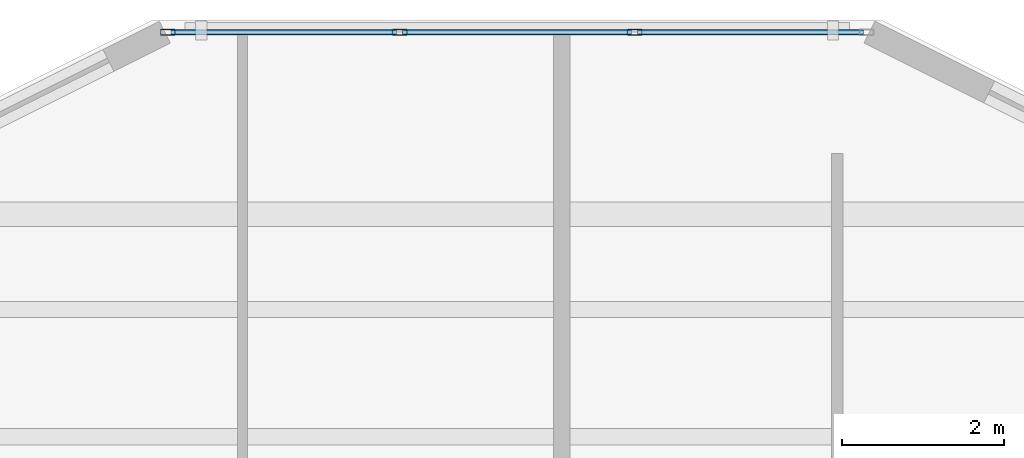
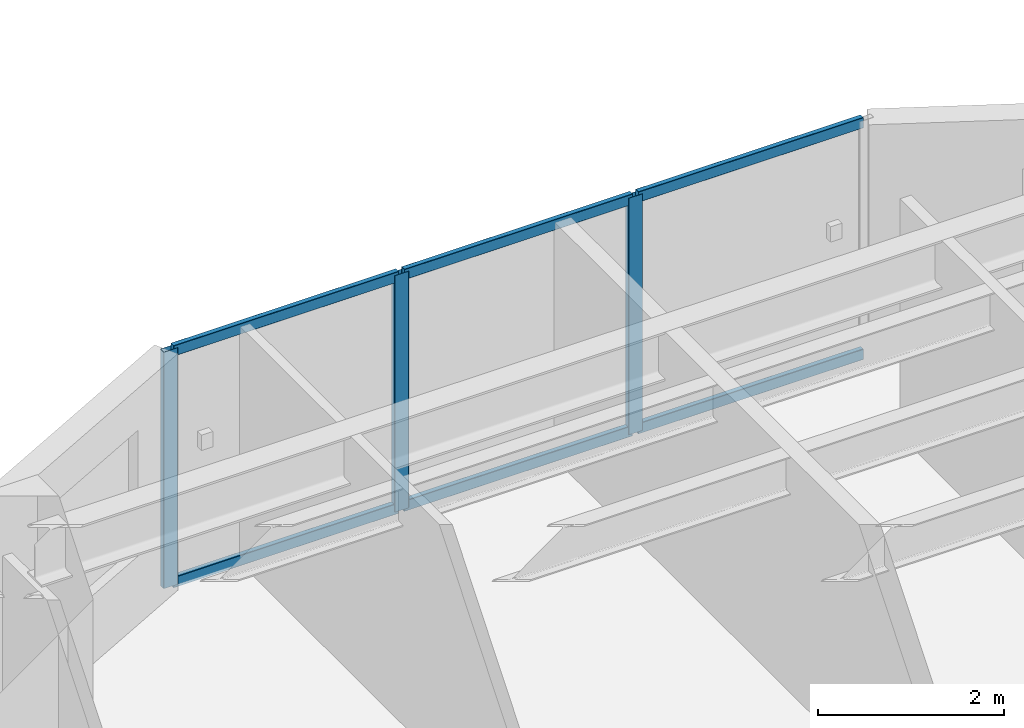
# One storey, part 6 of 19: 9 members, 1 element without a shape of its own.
"""IFC4 building model written with IfcOpenShell, lengths in metres."""

from ifc_helpers import new_model, si_unit, direction, frame, origin, origin_2d, place, context, subcontext, project, spatial, hollow_rectangle, extrude, material, layer, layer_set, material_profile, profile_set, type_object, element, aggregate, save


model = new_model("IFC4")

# Units and contexts
model_context = context("Model", 3, precision=1e-05, world=origin(), true_north=direction((0.0, 1.0)))
body_context = subcontext(model_context, "Body", "Model", "MODEL_VIEW")
ifc_project = project(units=[si_unit("LENGTHUNIT", "METRE"), si_unit("AREAUNIT", "SQUARE_METRE"), si_unit("VOLUMEUNIT", "CUBIC_METRE"), si_unit("PLANEANGLEUNIT", "RADIAN"), si_unit("MASSUNIT", "GRAM", prefix="KILO")], contexts=[model_context])

# Site, building, storey
site_placement = place(None, origin())
site = spatial("IfcSite", under=ifc_project, at=site_placement, CompositionType="ELEMENT")
building_placement = place(site_placement, origin())
building = spatial("IfcBuilding", under=site, at=building_placement, Name="Tarnavaz Court Tower", CompositionType="ELEMENT")
storey_placement = place(building_placement, frame((0.0, 0.0, 50.800048828125)))
storey = spatial("IfcBuildingStorey", under=building, at=storey_placement, Name="L13", CompositionType="ELEMENT", Elevation=50.800048828125)

# Curtain wall, members
ifc_material_1 = material(Name="Anodised Aluminium 6063-T6 and Solar Low-E Glazing", Category="aluminium")
ifc_layer = layer(ifc_material_1, 0.179931640625)
ifc_layer_set = layer_set([ifc_layer], Name="Anodised Aluminium 6063-T6 and Solar Low-E Glazing")
curtain_wall_type = type_object("IfcCurtainWallType", Name="CW-SYS-02", PredefinedType="NOTDEFINED", material=ifc_layer_set)
curtain_wall_placement = place(storey_placement, origin())
curtain_wall = element("IfcCurtainWall", 1, at=curtain_wall_placement, inside=storey, type_object=curtain_wall_type, Name="L13 Iwan Prow Curtain Wall 7", PredefinedType="NOTDEFINED")
ifc_material_2 = material(Name="Anodised Aluminium 6063-T6", Category="aluminium")
ifc_material_profile_1 = material_profile(ifc_material_2, hollow_rectangle(XDim=0.074951171875, YDim=0.179931640625, WallThickness=0.0048828125, InnerFilletRadius=0.0048828125, OuterFilletRadius=0.010009765625, at=origin_2d()), Name="ALU RHS 180X75X5")
ifc_profile_set_1 = profile_set([ifc_material_profile_1], Name="Anodised Aluminium 6063-T6")
member_type_1 = type_object("IfcMemberType", Name="CW-MUL-180", PredefinedType="MULLION", material=ifc_profile_set_1)
member_1_placement = place(storey_placement, frame((-4.3125, 25.050048828125, 0.0), z_axis=(0.0, 0.0, 1.0), x_axis=(0.0, 1.0, 0.0)))
member_1 = element("IfcMember", 2, at=member_1_placement, type_object=member_type_1, Name="CW mullion 1", PredefinedType="MULLION", context=body_context, shape_type="SweptSolid", body=[
    extrude(hollow_rectangle(XDim=0.074951171875, YDim=0.179931640625, WallThickness=0.0048828125, InnerFilletRadius=0.0048828125, OuterFilletRadius=0.010009765625, at=origin_2d()), origin(), (0.0, 0.0, 1.0), 3.099853515625),
])
member_2_placement = place(storey_placement, frame((-1.449951171875, 25.050048828125, 0.0), z_axis=(0.0, 0.0, 1.0), x_axis=(0.0, 1.0, 0.0)))
member_2 = element("IfcMember", 3, at=member_2_placement, type_object=member_type_1, Name="CW mullion 2", PredefinedType="MULLION", context=body_context, shape_type="SweptSolid", body=[
    extrude(hollow_rectangle(XDim=0.074951171875, YDim=0.179931640625, WallThickness=0.0048828125, InnerFilletRadius=0.0048828125, OuterFilletRadius=0.010009765625, at=origin_2d()), origin(), (0.0, 0.0, 1.0), 3.099853515625),
])
member_3_placement = place(storey_placement, frame((1.449951171875, 25.050048828125, 0.0), z_axis=(0.0, 0.0, 1.0), x_axis=(0.0, 1.0, 0.0)))
member_3 = element("IfcMember", 4, at=member_3_placement, type_object=member_type_1, Name="CW mullion 3", PredefinedType="MULLION", context=body_context, shape_type="SweptSolid", body=[
    extrude(hollow_rectangle(XDim=0.074951171875, YDim=0.179931640625, WallThickness=0.0048828125, InnerFilletRadius=0.0048828125, OuterFilletRadius=0.010009765625, at=origin_2d()), origin(), (0.0, 0.0, 1.0), 3.099853515625),
])
ifc_material_profile_2 = material_profile(ifc_material_2, hollow_rectangle(XDim=0.06494140625, YDim=0.139892578125, WallThickness=0.00390625, InnerFilletRadius=0.00390625, OuterFilletRadius=0.008056640625, at=origin_2d()), Name="ALU RHS 140X65X4")
ifc_profile_set_2 = profile_set([ifc_material_profile_2], Name="Anodised Aluminium 6063-T6")
member_type_2 = type_object("IfcMemberType", Name="CW-TRN-140", PredefinedType="USERDEFINED", material=ifc_profile_set_2)
member_4_placement = place(storey_placement, frame((-4.27490234375, 25.050048828125, 0.032470703125), z_axis=(1.0, 0.0, 0.0), x_axis=(0.0, 1.0, 0.0)))
member_4 = element("IfcMember", 5, at=member_4_placement, type_object=member_type_2, Name="CW transom 1.1", ObjectType="TRANSOM", PredefinedType="USERDEFINED", context=body_context, shape_type="SweptSolid", body=[
    extrude(hollow_rectangle(XDim=0.06494140625, YDim=0.139892578125, WallThickness=0.00390625, InnerFilletRadius=0.00390625, OuterFilletRadius=0.008056640625, at=origin_2d()), origin(), (0.0, 0.0, 1.0), 2.787353515625),
])
member_5_placement = place(storey_placement, frame((-4.27490234375, 25.050048828125, 3.0673828125), z_axis=(1.0, 0.0, 0.0), x_axis=(0.0, 1.0, 0.0)))
member_5 = element("IfcMember", 6, at=member_5_placement, type_object=member_type_2, Name="CW transom 1.2", ObjectType="TRANSOM", PredefinedType="USERDEFINED", context=body_context, shape_type="SweptSolid", body=[
    extrude(hollow_rectangle(XDim=0.06494140625, YDim=0.139892578125, WallThickness=0.00390625, InnerFilletRadius=0.00390625, OuterFilletRadius=0.008056640625, at=origin_2d()), origin(), (0.0, 0.0, 1.0), 2.787353515625),
])
member_6_placement = place(storey_placement, frame((-1.41259765625, 25.050048828125, 0.032470703125), z_axis=(1.0, 0.0, 0.0), x_axis=(0.0, 1.0, 0.0)))
member_6 = element("IfcMember", 7, at=member_6_placement, type_object=member_type_2, Name="CW transom 2.1", ObjectType="TRANSOM", PredefinedType="USERDEFINED", context=body_context, shape_type="SweptSolid", body=[
    extrude(hollow_rectangle(XDim=0.06494140625, YDim=0.139892578125, WallThickness=0.00390625, InnerFilletRadius=0.00390625, OuterFilletRadius=0.008056640625, at=origin_2d()), origin(), (0.0, 0.0, 1.0), 2.8251953125),
])
member_7_placement = place(storey_placement, frame((-1.41259765625, 25.050048828125, 3.0673828125), z_axis=(1.0, 0.0, 0.0), x_axis=(0.0, 1.0, 0.0)))
member_7 = element("IfcMember", 8, at=member_7_placement, type_object=member_type_2, Name="CW transom 2.2", ObjectType="TRANSOM", PredefinedType="USERDEFINED", context=body_context, shape_type="SweptSolid", body=[
    extrude(hollow_rectangle(XDim=0.06494140625, YDim=0.139892578125, WallThickness=0.00390625, InnerFilletRadius=0.00390625, OuterFilletRadius=0.008056640625, at=origin_2d()), origin(), (0.0, 0.0, 1.0), 2.8251953125),
])
member_8_placement = place(storey_placement, frame((1.487548828125, 25.050048828125, 0.032470703125), z_axis=(1.0, 0.0, 0.0), x_axis=(0.0, 1.0, 0.0)))
member_8 = element("IfcMember", 9, at=member_8_placement, type_object=member_type_2, Name="CW transom 3.1", ObjectType="TRANSOM", PredefinedType="USERDEFINED", context=body_context, shape_type="SweptSolid", body=[
    extrude(hollow_rectangle(XDim=0.06494140625, YDim=0.139892578125, WallThickness=0.00390625, InnerFilletRadius=0.00390625, OuterFilletRadius=0.008056640625, at=origin_2d()), origin(), (0.0, 0.0, 1.0), 2.787353515625),
])
member_9_placement = place(storey_placement, frame((1.487548828125, 25.050048828125, 3.0673828125), z_axis=(1.0, 0.0, 0.0), x_axis=(0.0, 1.0, 0.0)))
member_9 = element("IfcMember", 10, at=member_9_placement, type_object=member_type_2, Name="CW transom 3.2", ObjectType="TRANSOM", PredefinedType="USERDEFINED", context=body_context, shape_type="SweptSolid", body=[
    extrude(hollow_rectangle(XDim=0.06494140625, YDim=0.139892578125, WallThickness=0.00390625, InnerFilletRadius=0.00390625, OuterFilletRadius=0.008056640625, at=origin_2d()), origin(), (0.0, 0.0, 1.0), 2.787353515625),
])
aggregate(curtain_wall, [member_1, member_2, member_3, member_4, member_5, member_6, member_7, member_8, member_9])

save(model, "model.ifc")
